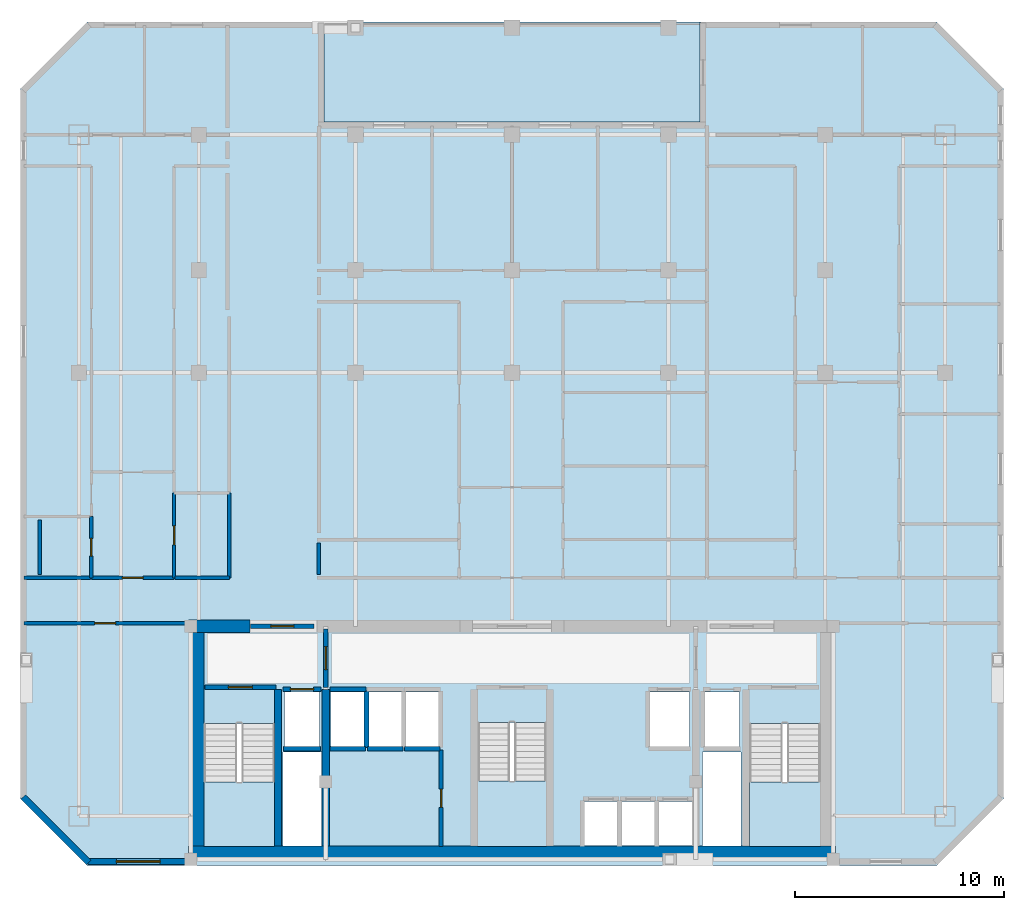
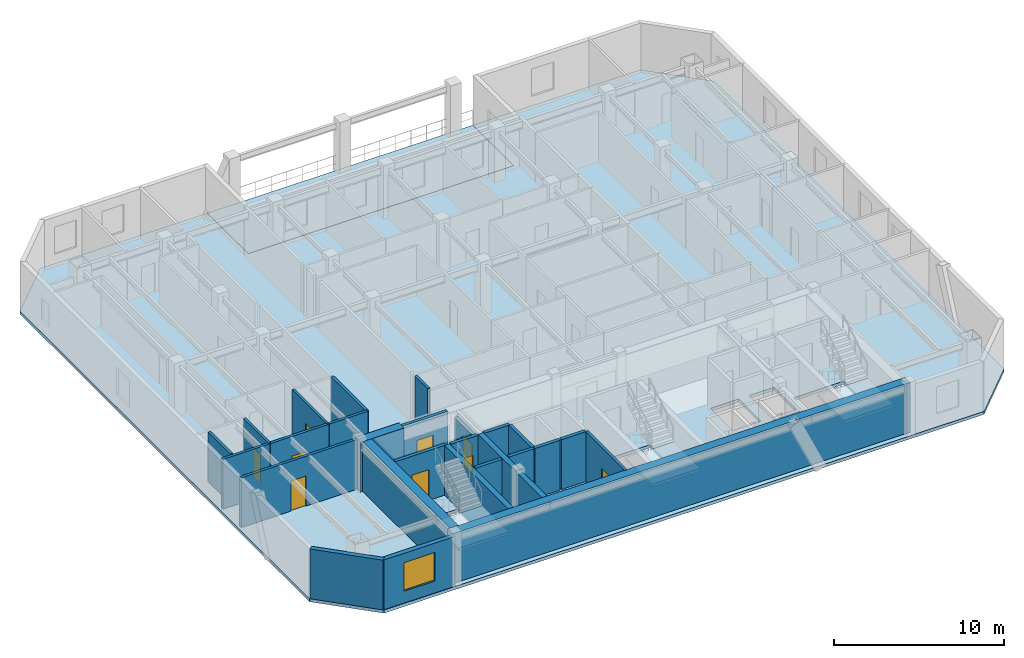
# One storey, part 2 of 8: 27 walls, 9 doors, 5 slabs, 1 window, 10 openings, 3 elements without a shape of their own.
"""IFC4 building model written with IfcOpenShell, lengths in metres."""

from ifc_helpers import new_model, si_unit, direction, frame, frame_2d, origin, place, context, subcontext, project, spatial, polyline, rectangle, outline, extrude, material, layer, layer_set, type_object, element, fill, aggregate, save


model = new_model("IFC4")

# Units and contexts
model_context = context("Model", 3, precision=1e-05, world=origin(), true_north=direction((0.0, 1.0)))
body_context = subcontext(model_context, "Body", "Model", "MODEL_VIEW")
ifc_project = project(units=[si_unit("LENGTHUNIT", "METRE"), si_unit("AREAUNIT", "SQUARE_METRE"), si_unit("VOLUMEUNIT", "CUBIC_METRE"), si_unit("PLANEANGLEUNIT", "RADIAN"), si_unit("MASSUNIT", "GRAM", prefix="KILO")], contexts=[model_context])

# Site, building, storey
site_placement = place(None, origin())
site = spatial("IfcSite", under=ifc_project, at=site_placement, CompositionType="ELEMENT")
building_placement = place(site_placement, origin())
building = spatial("IfcBuilding", under=site, at=building_placement, Name="Ventersveld Concourse Tower", CompositionType="ELEMENT")
storey_placement = place(building_placement, frame((0.0, 0.0, 200.300048828125)))
storey = spatial("IfcBuildingStorey", under=building, at=storey_placement, Name="L49", CompositionType="ELEMENT", Elevation=200.300048828125)

# Slabs
ifc_material_1 = material(Name="Concrete C50/60", Category="concrete")
ifc_layer_1 = layer(ifc_material_1, 0.219970703125)
ifc_layer_set_1 = layer_set([ifc_layer_1], Name="Concrete C50/60")
slab_type_1 = type_object("IfcSlabType", Name="SL-FLR-220", PredefinedType="FLOOR", material=ifc_layer_set_1)
slab_1_placement = place(storey_placement, frame((0.0, 0.0, -0.219970703125)))
element("IfcSlab", 1, at=slab_1_placement, inside=storey, type_object=slab_type_1, Name="L49 Composite Floor Slab", PredefinedType="FLOOR", context=body_context, shape_type="SweptSolid", body=[
    extrude(outline(polyline([(8.39990234375, 0.0), (49.10009765625, 0.0), (52.300048828125, 3.199951171875), (52.300048828125, 37.199951171875), (49.10009765625, 40.39990234375), (37.75, 40.39990234375), (37.75, 35.60009765625), (19.75, 35.60009765625), (19.75, 40.39990234375), (8.39990234375, 40.39990234375), (5.199951171875, 37.199951171875), (5.199951171875, 3.199951171875), (8.39990234375, 0.0)]), holes=[polyline([(13.97998046875, 6.794921875), (13.97998046875, 0.89990234375), (17.3798828125, 0.89990234375), (17.3798828125, 6.794921875), (13.97998046875, 6.794921875)]), polyline([(40.1201171875, 6.794921875), (40.1201171875, 0.89990234375), (43.52001953125, 0.89990234375), (43.52001953125, 6.794921875), (40.1201171875, 6.794921875)]), polyline([(27.10009765625, 6.844970703125), (27.10009765625, 0.89990234375), (30.39990234375, 0.89990234375), (30.39990234375, 6.844970703125), (27.10009765625, 6.844970703125)]), polyline([(17.85009765625, 5.699951171875), (19.530029296875, 5.699951171875), (19.530029296875, 8.300048828125), (17.85009765625, 8.300048828125), (17.85009765625, 5.699951171875)]), polyline([(37.969970703125, 5.699951171875), (39.64990234375, 5.699951171875), (39.64990234375, 8.300048828125), (37.969970703125, 8.300048828125), (37.969970703125, 5.699951171875)]), polyline([(35.35009765625, 5.699951171875), (37.25, 5.699951171875), (37.25, 8.300048828125), (35.35009765625, 8.300048828125), (35.35009765625, 5.699951171875)]), polyline([(32.2099609375, 0.949951171875), (33.81005859375, 0.949951171875), (33.81005859375, 3.050048828125), (32.2099609375, 3.050048828125), (32.2099609375, 0.949951171875)]), polyline([(33.989990234375, 0.949951171875), (35.590087890625, 0.949951171875), (35.590087890625, 3.050048828125), (33.989990234375, 3.050048828125), (33.989990234375, 0.949951171875)]), polyline([(35.77001953125, 0.949951171875), (37.3701171875, 0.949951171875), (37.3701171875, 3.050048828125), (35.77001953125, 3.050048828125), (35.77001953125, 0.949951171875)]), polyline([(20.090087890625, 5.699951171875), (21.68994140625, 5.699951171875), (21.68994140625, 8.300048828125), (20.090087890625, 8.300048828125), (20.090087890625, 5.699951171875)]), polyline([(21.8701171875, 5.699951171875), (23.469970703125, 5.699951171875), (23.469970703125, 8.300048828125), (21.8701171875, 8.300048828125), (21.8701171875, 5.699951171875)]), polyline([(23.64990234375, 5.699951171875), (25.25, 5.699951171875), (25.25, 8.300048828125), (23.64990234375, 8.300048828125), (23.64990234375, 5.699951171875)]), polyline([(17.780029296875, 0.919921875), (19.6201171875, 0.919921875), (19.6201171875, 5.419921875), (17.780029296875, 5.419921875), (17.780029296875, 0.919921875)]), polyline([(37.8798828125, 0.919921875), (39.719970703125, 0.919921875), (39.719970703125, 5.419921875), (37.8798828125, 5.419921875), (37.8798828125, 0.919921875)])]), origin(), (0.0, 0.0, 1.0), 0.219970703125),
])
slab_2_placement = place(storey_placement, frame((0.0, 0.0, -0.219970703125)))
element("IfcSlab", 2, at=slab_2_placement, inside=storey, type_object=slab_type_1, Name="L49 Outdoor Terrace Slab NOTCH-N", PredefinedType="FLOOR", context=body_context, shape_type="SweptSolid", body=[
    extrude(outline(polyline([(19.75, 35.60009765625), (37.75, 35.60009765625), (37.75, 40.39990234375), (19.75, 40.39990234375), (19.75, 35.60009765625)])), origin(), (0.0, 0.0, 1.0), 0.219970703125),
])

# Stair, slab
stair_type_1 = type_object("IfcStairType", Name="ST-DOG-160", PredefinedType="HALF_TURN_STAIR", material=ifc_material_1)
stair_1_placement = place(storey_placement, origin())
stair_1 = element("IfcStair", 3, at=stair_1_placement, inside=storey, type_object=stair_type_1, Name="L49 Protected Tower Escape Stair ST-01", PredefinedType="HALF_TURN_STAIR")
ifc_layer_2 = layer(ifc_material_1, 0.199951171875)
ifc_layer_set_2 = layer_set([ifc_layer_2], Name="Concrete C50/60")
slab_type_2 = type_object("IfcSlabType", Name="SL-LND-200", PredefinedType="LANDING", material=ifc_layer_set_2)
slab_3_placement = place(storey_placement, frame((0.0, 0.0, 1.724853515625)))
slab_3 = element("IfcSlab", 4, at=slab_3_placement, type_object=slab_type_2, Name="ST-01 landing 1", PredefinedType="LANDING", context=body_context, shape_type="SweptSolid", body=[
    extrude(outline(polyline([(13.97998046875, 4.0), (13.97998046875, 0.89990234375), (17.3798828125, 0.89990234375), (17.3798828125, 4.0), (13.97998046875, 4.0)])), origin(), (0.0, 0.0, 1.0), 0.2001953125),
])
aggregate(stair_1, [slab_3])

stair_2_placement = place(storey_placement, origin())
stair_2 = element("IfcStair", 5, at=stair_2_placement, inside=storey, type_object=stair_type_1, Name="L49 Protected Tower Escape Stair ST-02", PredefinedType="HALF_TURN_STAIR")
slab_4_placement = place(storey_placement, frame((0.0, 0.0, 1.724853515625)))
slab_4 = element("IfcSlab", 6, at=slab_4_placement, type_object=slab_type_2, Name="ST-02 landing 1", PredefinedType="LANDING", context=body_context, shape_type="SweptSolid", body=[
    extrude(outline(polyline([(40.1201171875, 4.0), (40.1201171875, 0.89990234375), (43.52001953125, 0.89990234375), (43.52001953125, 4.0), (40.1201171875, 4.0)])), origin(), (0.0, 0.0, 1.0), 0.2001953125),
])
aggregate(stair_2, [slab_4])

stair_type_2 = type_object("IfcStairType", Name="ST-DOG-155", PredefinedType="HALF_TURN_STAIR", material=ifc_material_1)
stair_3_placement = place(storey_placement, origin())
stair_3 = element("IfcStair", 7, at=stair_3_placement, inside=storey, type_object=stair_type_2, Name="L49 Protected Central Core Escape Stair ST-03", PredefinedType="HALF_TURN_STAIR")
slab_5_placement = place(storey_placement, frame((0.0, 0.0, 1.724853515625)))
slab_5 = element("IfcSlab", 8, at=slab_5_placement, type_object=slab_type_2, Name="ST-03 landing 1", PredefinedType="LANDING", context=body_context, shape_type="SweptSolid", body=[
    extrude(outline(polyline([(27.10009765625, 4.050048828125), (27.10009765625, 0.89990234375), (30.39990234375, 0.89990234375), (30.39990234375, 4.050048828125), (27.10009765625, 4.050048828125)])), origin(), (0.0, 0.0, 1.0), 0.2001953125),
])
aggregate(stair_3, [slab_5])

# Walls
ifc_layer_3 = layer(ifc_material_1, 0.35009765625)
ifc_layer_set_3 = layer_set([ifc_layer_3], Name="Concrete C50/60")
wall_type_1 = type_object("IfcWallType", Name="WL-CORE-350U", PredefinedType="SHEAR", material=ifc_layer_set_3)
for number, where, z_axis, x_axis, name in (
    (9, (17.5400390625, 0.919921875, 0.0), (0.0, 0.0, 1.0), (0.0, 1.0, 0.0), "L49 Core Internal Shear Web W-ST1-E"),
    (10, (19.820068359375, 0.919921875, 0.0), (0.0, 0.0, 1.0), (0.0, 1.0, 0.0), "L49 Core Internal Shear Web W-FF1-E"),
):
    element("IfcWall", number, at=place(storey_placement, frame(where, z_axis=z_axis, x_axis=x_axis)), inside=storey, type_object=wall_type_1, Name=name, PredefinedType="SHEAR", context=body_context, shape_type="SweptSolid", body=[
        extrude(rectangle(XDim=7.5, YDim=0.35009765625, at=frame_2d((3.75, 0.0))), origin(), (0.0, 0.0, 1.0), 3.570068359375),
    ])
ifc_layer_4 = layer(ifc_material_1, 0.60009765625)
ifc_layer_set_4 = layer_set([ifc_layer_4], Name="Concrete C50/60")
wall_type_2 = type_object("IfcWallType", Name="WL-CORE-600", PredefinedType="SHEAR", material=ifc_layer_set_4)
wall_1_placement = place(storey_placement, frame((13.25, 0.6201171875, 0.0), z_axis=(0.0, 0.0, 1.0), x_axis=(1.0, 0.0, 0.0)))
element("IfcWall", 11, at=wall_1_placement, inside=storey, type_object=wall_type_2, Name="L49 Rear Core South Shear Wall", PredefinedType="SHEAR", context=body_context, shape_type="SweptSolid", body=[
    extrude(rectangle(XDim=31.0, YDim=0.60009765625, at=frame_2d((15.5, 0.0))), origin(), (0.0, 0.0, 1.0), 3.570068359375),
])
wall_2_placement = place(storey_placement, frame((13.699951171875, 0.919921875, 0.0), z_axis=(0.0, 0.0, 1.0), x_axis=(0.0, 1.0, 0.0)))
element("IfcWall", 12, at=wall_2_placement, inside=storey, type_object=wall_type_2, Name="L49 Rear Core West Shear Wall", PredefinedType="SHEAR", context=body_context, shape_type="SweptSolid", body=[
    extrude(rectangle(XDim=10.530029296875, YDim=0.60009765625, at=frame_2d((5.26513671875, 0.0))), origin(), (0.0, 0.0, 1.0), 3.570068359375),
])
wall_3_placement = place(storey_placement, frame((13.25, 11.449951171875, 0.0), z_axis=(0.0, 0.0, 1.0), x_axis=(1.0, 0.0, 0.0)))
element("IfcWall", 13, at=wall_3_placement, inside=storey, type_object=wall_type_2, Name="L49 Rear Core North Shear Wall NW", PredefinedType="SHEAR", context=body_context, shape_type="SweptSolid", body=[
    extrude(rectangle(XDim=2.949951171875, YDim=0.60009765625, at=frame_2d((1.47509765625, 0.0))), origin(), (0.0, 0.0, 1.0), 3.570068359375),
])

# Wall, opening, door
ifc_material_2 = material(Name="Fire-rated autoclaved aerated masonry blockwork", Category="masonry")
ifc_layer_5 = layer(ifc_material_2, 0.179931640625)
ifc_layer_set_5 = layer_set([ifc_layer_5], Name="Fire-rated autoclaved aerated masonry blockwork")
wall_type_3 = type_object("IfcWallType", Name="WL-CORR-180", PredefinedType="PARTITIONING", material=ifc_layer_set_5)
wall_4_placement = place(storey_placement, frame((25.35009765625, 0.89990234375, 0.0), z_axis=(0.0, 0.0, 1.0), x_axis=(0.0, 1.0, 0.0)))
wall_4 = element("IfcWall", 14, at=wall_4_placement, inside=storey, type_object=wall_type_3, Name="L49 Core Passage Wall SP-L49-RECB1A", PredefinedType="PARTITIONING", context=body_context, shape_type="SweptSolid", body=[
    extrude(rectangle(XDim=4.6201171875, YDim=0.179931640625, at=frame_2d((2.31005859375, 0.0))), origin(), (0.0, 0.0, 1.0), 3.570068359375),
])
opening_1_placement = place(wall_4_placement, frame((1.8701171875, 0.0, 0.0)))
opening_1 = element("IfcOpeningElement", 15, at=opening_1_placement, cuts=wall_4, Name="Opening FD5", PredefinedType="OPENING", context=body_context, shape_type="SweptSolid", body=[
    extrude(rectangle(XDim=0.8798828125, YDim=2.050048828125, at=frame_2d((0.43994140625, 1.02490234375))), frame((0.0, 0.10009765625, 0.0), z_axis=(0.0, -1.0, 0.0), x_axis=(1.0, 0.0, 0.0)), (0.0, 0.0, 1.0), 0.199951171875),
])
ifc_material_3 = material(Name="Galvanised painted steel", Category="steel")
door_type_1 = type_object("IfcDoorType", Name="DR-RISER-088", OperationType="NOTDEFINED", PredefinedType="DOOR", material=ifc_material_3)
door_1_placement = place(opening_1_placement, origin())
door_1 = element("IfcDoor", 16, at=door_1_placement, inside=storey, type_object=door_type_1, Name="L49 Core Room Door L49 Reclaimed Core Meeting Pod (CD-L49-2389)", OperationType="SINGLE_SWING_RIGHT", OverallHeight=2.050048828125, OverallWidth=0.8798828125, PredefinedType="DOOR", context=body_context, shape_type="SweptSolid", body=[
    extrude(rectangle(XDim=0.8798828125, YDim=2.050048828125, at=frame_2d((0.43994140625, 1.02490234375))), frame((0.0, 0.02490234375, 0.0), z_axis=(0.0, -1.0, 0.0), x_axis=(1.0, 0.0, 0.0)), (0.0, 0.0, 1.0), 0.050048828125),
])
fill(opening_1, door_1)

wall_5_placement = place(storey_placement, frame((5.37255859375, 11.60009765625, 0.0), z_axis=(0.0, 0.0, 1.0), x_axis=(1.0, 0.0, 0.0)))
wall_5 = element("IfcWall", 17, at=wall_5_placement, inside=storey, type_object=wall_type_3, Name="L49 Interior Partition SP-L49-SW-GAL-SP-L49-COR", PredefinedType="PARTITIONING", context=body_context, shape_type="SweptSolid", body=[
    extrude(rectangle(XDim=7.7724609375, YDim=0.179931640625, at=frame_2d((3.88623046875, 0.0))), origin(), (0.0, 0.0, 1.0), 3.570068359375),
])
opening_2_placement = place(wall_5_placement, frame((3.38623046875, 0.0, 0.0)))
opening_2 = element("IfcOpeningElement", 18, at=opening_2_placement, cuts=wall_5, Name="Opening FD3", PredefinedType="OPENING", context=body_context, shape_type="SweptSolid", body=[
    extrude(rectangle(XDim=1.0, YDim=2.14990234375, at=frame_2d((0.5, 1.074951171875))), frame((0.0, 0.10009765625, 0.0), z_axis=(0.0, -1.0, 0.0), x_axis=(1.0, 0.0, 0.0)), (0.0, 0.0, 1.0), 0.199951171875),
])
ifc_material_4 = material(Name="Solid-core hardwood veneer timber", Category="wood")
door_type_2 = type_object("IfcDoorType", Name="DR-FLAT-100", OperationType="NOTDEFINED", PredefinedType="DOOR", material=ifc_material_4)
door_2_placement = place(opening_2_placement, origin())
door_2 = element("IfcDoor", 19, at=door_2_placement, inside=storey, type_object=door_type_2, Name="L49 Interior Door SP-L49-SW-GAL to SP-L49-COR (D-L49-2390)", OperationType="SINGLE_SWING_RIGHT", OverallHeight=2.14990234375, OverallWidth=1.0, PredefinedType="DOOR", context=body_context, shape_type="SweptSolid", body=[
    extrude(rectangle(XDim=1.0, YDim=2.14990234375, at=frame_2d((0.5, 1.074951171875))), frame((0.0, 0.02490234375, 0.0), z_axis=(0.0, -1.0, 0.0), x_axis=(1.0, 0.0, 0.0)), (0.0, 0.0, 1.0), 0.050048828125),
])
fill(opening_2, door_2)

wall_6_placement = place(storey_placement, frame((8.59765625, 13.77001953125, 0.0), z_axis=(0.0, 0.0, 1.0), x_axis=(1.0, 0.0, 0.0)))
wall_6 = element("IfcWall", 20, at=wall_6_placement, inside=storey, type_object=wall_type_3, Name="L49 Interior Partition SP-L49-COR-SP-L49-49NW-FOY", PredefinedType="PARTITIONING", context=body_context, shape_type="SweptSolid", body=[
    extrude(rectangle(XDim=3.969970703125, YDim=0.179931640625, at=frame_2d((1.98486328125, 0.0))), origin(), (0.0, 0.0, 1.0), 3.570068359375),
])
opening_3_placement = place(wall_6_placement, frame((1.485107421875, 0.0, 0.0)))
opening_3 = element("IfcOpeningElement", 21, at=opening_3_placement, cuts=wall_6, Name="Opening FD3", PredefinedType="OPENING", context=body_context, shape_type="SweptSolid", body=[
    extrude(rectangle(XDim=1.0, YDim=2.14990234375, at=frame_2d((0.5, 1.074951171875))), frame((0.0, 0.10009765625, 0.0), z_axis=(0.0, -1.0, 0.0), x_axis=(1.0, 0.0, 0.0)), (0.0, 0.0, 1.0), 0.199951171875),
])
door_3_placement = place(opening_3_placement, origin())
door_3 = element("IfcDoor", 22, at=door_3_placement, inside=storey, type_object=door_type_2, Name="L49 Interior Door SP-L49-COR to SP-L49-49NW-FOY (FD-L49-2392)", OperationType="SINGLE_SWING_RIGHT", OverallHeight=2.14990234375, OverallWidth=1.0, PredefinedType="DOOR", context=body_context, shape_type="SweptSolid", body=[
    extrude(rectangle(XDim=1.0, YDim=2.14990234375, at=frame_2d((0.5, 1.074951171875))), frame((0.0, 0.02490234375, 0.0), z_axis=(0.0, -1.0, 0.0), x_axis=(1.0, 0.0, 0.0)), (0.0, 0.0, 1.0), 0.050048828125),
])
fill(opening_3, door_3)

# Walls
wall_7_placement = place(storey_placement, frame((5.37255859375, 13.77001953125, 0.0), z_axis=(0.0, 0.0, 1.0), x_axis=(1.0, 0.0, 0.0)))
element("IfcWall", 23, at=wall_7_placement, inside=storey, type_object=wall_type_3, Name="L49 Interior Partition SP-L49-COR-SP-L49-49NW-BATH", PredefinedType="PARTITIONING", context=body_context, shape_type="SweptSolid", body=[
    extrude(rectangle(XDim=3.195068359375, YDim=0.179931640625, at=frame_2d((1.59765625, 0.0))), origin(), (0.0, 0.0, 1.0), 3.570068359375),
])
wall_8_placement = place(storey_placement, frame((15.2099609375, 13.764892578125, 0.0), z_axis=(0.0, 0.0, 1.0), x_axis=(0.0, 1.0, 0.0)))
element("IfcWall", 24, at=wall_8_placement, inside=storey, type_object=wall_type_3, Name="L49 Interior Partition SP-L49-COR-SP-L49-49NW-KIT", PredefinedType="PARTITIONING", context=body_context, shape_type="SweptSolid", body=[
    extrude(rectangle(XDim=4.080810546875, YDim=0.179931640625, at=frame_2d((2.04052734375, 0.0))), origin(), (0.0, 0.0, 1.0), 3.570068359375),
])
wall_9_placement = place(storey_placement, frame((12.59765625, 13.77001953125, 0.0), z_axis=(0.0, 0.0, 1.0), x_axis=(1.0, 0.0, 0.0)))
element("IfcWall", 25, at=wall_9_placement, inside=storey, type_object=wall_type_3, Name="L49 Interior Partition SP-L49-COR-SP-L49-49NW-KIT", PredefinedType="PARTITIONING", context=body_context, shape_type="SweptSolid", body=[
    extrude(rectangle(XDim=2.617431640625, YDim=0.179931640625, at=frame_2d((1.30859375, 0.0))), origin(), (0.0, 0.0, 1.0), 3.570068359375),
])
ifc_layer_6 = layer(ifc_material_2, 0.219970703125)
ifc_layer_set_6 = layer_set([ifc_layer_6], Name="Fire-rated autoclaved aerated masonry blockwork")
wall_type_4 = type_object("IfcWallType", Name="WL-HOIST-220", PredefinedType="SOLIDWALL", material=ifc_layer_set_6)
wall_10_placement = place(storey_placement, frame((17.800048828125, 5.590087890625, 0.0), z_axis=(0.0, 0.0, 1.0), x_axis=(1.0, 0.0, 0.0)))
element("IfcWall", 26, at=wall_10_placement, inside=storey, type_object=wall_type_4, Name="L49 Lift Hoistway Back Wall FFL-01", PredefinedType="SOLIDWALL", context=body_context, shape_type="SweptSolid", body=[
    extrude(rectangle(XDim=1.780029296875, YDim=0.219970703125, at=frame_2d((0.89013671875, 0.0))), origin(), (0.0, 0.0, 1.0), 3.570068359375),
])

# Wall, opening, door
wall_11_placement = place(storey_placement, frame((17.780029296875, 8.429931640625, 0.0), z_axis=(0.0, 0.0, 1.0), x_axis=(1.0, 0.0, 0.0)))
wall_11 = element("IfcWall", 27, at=wall_11_placement, inside=storey, type_object=wall_type_4, Name="L49 Lift Hoistway Front Wall FFL-01", PredefinedType="SOLIDWALL", context=body_context, shape_type="SweptSolid", body=[
    extrude(rectangle(XDim=1.820068359375, YDim=0.219970703125, at=frame_2d((0.91015625, 0.0))), origin(), (0.0, 0.0, 1.0), 3.570068359375),
])
opening_4_placement = place(wall_11_placement, frame((0.35009765625, 0.0, 0.0)))
opening_4 = element("IfcOpeningElement", 28, at=opening_4_placement, cuts=wall_11, Name="Opening LD1", PredefinedType="OPENING", context=body_context, shape_type="SweptSolid", body=[
    extrude(rectangle(XDim=1.1201171875, YDim=2.25, at=frame_2d((0.56005859375, 1.125))), frame((0.0, 0.1201171875, 0.0), z_axis=(0.0, -1.0, 0.0), x_axis=(1.0, 0.0, 0.0)), (0.0, 0.0, 1.0), 0.239990234375),
])
ifc_material_5 = material(Name="Brushed stainless steel 316", Category="steel")
door_type_3 = type_object("IfcDoorType", Name="LD-FF-112", OperationType="SLIDING_TO_LEFT", PredefinedType="DOOR", material=ifc_material_5)
door_4_placement = place(opening_4_placement, origin())
door_4 = element("IfcDoor", 29, at=door_4_placement, inside=storey, type_object=door_type_3, Name="L49 Lift landing door FFL-01 (LD-L49-FFL-01)", OperationType="SLIDING_TO_LEFT", OverallHeight=2.25, OverallWidth=1.1201171875, PredefinedType="DOOR", context=body_context, shape_type="SweptSolid", body=[
    extrude(rectangle(XDim=1.1201171875, YDim=2.25, at=frame_2d((0.56005859375, 1.125))), frame((0.0, 0.02490234375, 0.0), z_axis=(0.0, -1.0, 0.0), x_axis=(1.0, 0.0, 0.0)), (0.0, 0.0, 1.0), 0.050048828125),
])
fill(opening_4, door_4)

# Walls
wall_12_placement = place(storey_placement, frame((20.0400390625, 5.590087890625, 0.0), z_axis=(0.0, 0.0, 1.0), x_axis=(1.0, 0.0, 0.0)))
element("IfcWall", 30, at=wall_12_placement, inside=storey, type_object=wall_type_4, Name="L49 Lift Hoistway Back Wall PH-01", PredefinedType="SOLIDWALL", context=body_context, shape_type="SweptSolid", body=[
    extrude(rectangle(XDim=1.699951171875, YDim=0.219970703125, at=frame_2d((0.85009765625, 0.0))), origin(), (0.0, 0.0, 1.0), 3.570068359375),
])
wall_13_placement = place(storey_placement, frame((21.780029296875, 5.64990234375, 0.0), z_axis=(0.0, 0.0, 1.0), x_axis=(0.0, 1.0, 0.0)))
element("IfcWall", 31, at=wall_13_placement, inside=storey, type_object=wall_type_4, Name="L49 Lift Hoistway Side Wall PH-01E", PredefinedType="SOLIDWALL", context=body_context, shape_type="SweptSolid", body=[
    extrude(rectangle(XDim=2.7001953125, YDim=0.219970703125, at=frame_2d((1.35009765625, 0.0))), origin(), (0.0, 0.0, 1.0), 3.570068359375),
])
wall_14_placement = place(storey_placement, frame((20.02001953125, 8.429931640625, 0.0), z_axis=(0.0, 0.0, 1.0), x_axis=(1.0, 0.0, 0.0)))
element("IfcWall", 32, at=wall_14_placement, inside=storey, type_object=wall_type_4, Name="L49 Lift Hoistway Front Wall PH-01", PredefinedType="SOLIDWALL", context=body_context, shape_type="SweptSolid", body=[
    extrude(rectangle(XDim=1.739990234375, YDim=0.219970703125, at=frame_2d((0.8701171875, 0.0))), origin(), (0.0, 0.0, 1.0), 3.570068359375),
])
for number, where, z_axis, x_axis, name in (
    (33, (21.820068359375, 5.590087890625, 0.0), (0.0, 0.0, 1.0), (1.0, 0.0, 0.0), "L49 Lift Hoistway Back Wall PH-02"),
    (34, (23.60009765625, 5.590087890625, 0.0), (0.0, 0.0, 1.0), (1.0, 0.0, 0.0), "L49 Lift Hoistway Back Wall PH-03"),
):
    element("IfcWall", number, at=place(storey_placement, frame(where, z_axis=z_axis, x_axis=x_axis)), inside=storey, type_object=wall_type_4, Name=name, PredefinedType="SOLIDWALL", context=body_context, shape_type="SweptSolid", body=[
        extrude(rectangle(XDim=1.699951171875, YDim=0.219970703125, at=frame_2d((0.85009765625, 0.0))), origin(), (0.0, 0.0, 1.0), 3.570068359375),
    ])

# Wall, opening, door
wall_15_placement = place(storey_placement, frame((14.0400390625, 8.52001953125, 0.0), z_axis=(0.0, 0.0, 1.0), x_axis=(1.0, 0.0, 0.0)))
wall_15 = element("IfcWall", 35, at=wall_15_placement, inside=storey, type_object=wall_type_4, Name="L49 Escape Stair ST01 Fire Wall", PredefinedType="SOLIDWALL", context=body_context, shape_type="SweptSolid", body=[
    extrude(rectangle(XDim=3.39990234375, YDim=0.219970703125, at=frame_2d((1.699951171875, 0.0))), origin(), (0.0, 0.0, 1.0), 3.570068359375),
])
opening_5_placement = place(wall_15_placement, frame((1.125, 0.0, 0.0)))
opening_5 = element("IfcOpeningElement", 36, at=opening_5_placement, cuts=wall_15, Name="Opening FD1", PredefinedType="OPENING", context=body_context, shape_type="SweptSolid", body=[
    extrude(rectangle(XDim=1.14990234375, YDim=2.199951171875, at=frame_2d((0.574951171875, 1.10009765625))), frame((0.0, 0.1201171875, 0.0), z_axis=(0.0, -1.0, 0.0), x_axis=(1.0, 0.0, 0.0)), (0.0, 0.0, 1.0), 0.239990234375),
])
door_type_4 = type_object("IfcDoorType", Name="DR-STAIR-115", OperationType="NOTDEFINED", PredefinedType="DOOR", material=ifc_material_3)
door_5_placement = place(opening_5_placement, origin())
door_5 = element("IfcDoor", 37, at=door_5_placement, inside=storey, type_object=door_type_4, Name="L49 Escape Stair Door ST01 (SD-L49-2381)", OperationType="SINGLE_SWING_LEFT", OverallHeight=2.199951171875, OverallWidth=1.14990234375, PredefinedType="DOOR", context=body_context, shape_type="SweptSolid", body=[
    extrude(rectangle(XDim=1.14990234375, YDim=2.199951171875, at=frame_2d((0.574951171875, 1.10009765625))), frame((0.0, 0.02490234375, 0.0), z_axis=(0.0, -1.0, 0.0), x_axis=(1.0, 0.0, 0.0)), (0.0, 0.0, 1.0), 0.050048828125),
])
fill(opening_5, door_5)

wall_16_placement = place(storey_placement, frame((19.820068359375, 8.52001953125, 0.0), z_axis=(0.0, 0.0, 1.0), x_axis=(0.0, 1.0, 0.0)))
wall_16 = element("IfcWall", 38, at=wall_16_placement, inside=storey, type_object=wall_type_4, Name="L49 Firefighting Lobby Smoke-Stop Wall FFLW-SEP", PredefinedType="SOLIDWALL", context=body_context, shape_type="SweptSolid", body=[
    extrude(rectangle(XDim=2.800048828125, YDim=0.219970703125, at=frame_2d((1.39990234375, 0.0))), origin(), (0.0, 0.0, 1.0), 3.025390625),
])
opening_6_placement = place(wall_16_placement, frame((0.85009765625, 0.0, 0.0)))
opening_6 = element("IfcOpeningElement", 39, at=opening_6_placement, cuts=wall_16, Name="Opening FD2", PredefinedType="OPENING", context=body_context, shape_type="SweptSolid", body=[
    extrude(rectangle(XDim=1.10009765625, YDim=2.199951171875, at=frame_2d((0.550048828125, 1.10009765625))), frame((0.0, 0.1201171875, 0.0), z_axis=(0.0, -1.0, 0.0), x_axis=(1.0, 0.0, 0.0)), (0.0, 0.0, 1.0), 0.239990234375),
])
door_type_5 = type_object("IfcDoorType", Name="DR-FFL-110", OperationType="NOTDEFINED", PredefinedType="DOOR", material=ifc_material_3)
door_6_placement = place(opening_6_placement, origin())
door_6 = element("IfcDoor", 40, at=door_6_placement, inside=storey, type_object=door_type_5, Name="L49 Firefighting Lobby Door FFLW-SEP (FD-L49-2384)", OperationType="SINGLE_SWING_LEFT", OverallHeight=2.199951171875, OverallWidth=1.10009765625, PredefinedType="DOOR", context=body_context, shape_type="SweptSolid", body=[
    extrude(rectangle(XDim=1.10009765625, YDim=2.199951171875, at=frame_2d((0.550048828125, 1.10009765625))), frame((0.0, 0.02490234375, 0.0), z_axis=(0.0, -1.0, 0.0), x_axis=(1.0, 0.0, 0.0)), (0.0, 0.0, 1.0), 0.050048828125),
])
fill(opening_6, door_6)

wall_17_placement = place(storey_placement, frame((16.22998046875, 11.449951171875, 0.0), z_axis=(0.0, 0.0, 1.0), x_axis=(1.0, 0.0, 0.0)))
wall_17 = element("IfcWall", 41, at=wall_17_placement, inside=storey, type_object=wall_type_4, Name="L49 Core North Fire Portal FFLW-OUT", PredefinedType="SOLIDWALL", context=body_context, shape_type="SweptSolid", body=[
    extrude(rectangle(XDim=3.0400390625, YDim=0.219970703125, at=frame_2d((1.52001953125, 0.0))), origin(), (0.0, 0.0, 1.0), 3.570068359375),
])
opening_7_placement = place(wall_17_placement, frame((0.969970703125, 0.0, 0.0)))
opening_7 = element("IfcOpeningElement", 42, at=opening_7_placement, cuts=wall_17, Name="Opening FD2", PredefinedType="OPENING", context=body_context, shape_type="SweptSolid", body=[
    extrude(rectangle(XDim=1.10009765625, YDim=2.199951171875, at=frame_2d((0.550048828125, 1.10009765625))), frame((0.0, 0.1201171875, 0.0), z_axis=(0.0, -1.0, 0.0), x_axis=(1.0, 0.0, 0.0)), (0.0, 0.0, 1.0), 0.239990234375),
])
door_7_placement = place(opening_7_placement, origin())
door_7 = element("IfcDoor", 43, at=door_7_placement, inside=storey, type_object=door_type_5, Name="L49 Core Lobby Fire Door FFLW-OUT (FD-L49-2386)", OperationType="SINGLE_SWING_RIGHT", OverallHeight=2.199951171875, OverallWidth=1.10009765625, PredefinedType="DOOR", context=body_context, shape_type="SweptSolid", body=[
    extrude(rectangle(XDim=1.10009765625, YDim=2.199951171875, at=frame_2d((0.550048828125, 1.10009765625))), frame((0.0, 0.02490234375, 0.0), z_axis=(0.0, -1.0, 0.0), x_axis=(1.0, 0.0, 0.0)), (0.0, 0.0, 1.0), 0.050048828125),
])
fill(opening_7, door_7)

ifc_material_6 = material(Name="Autoclaved aerated masonry blockwork", Category="masonry")
ifc_layer_7 = layer(ifc_material_6, 0.14990234375)
ifc_layer_set_7 = layer_set([ifc_layer_7], Name="Autoclaved aerated masonry blockwork")
wall_type_5 = type_object("IfcWallType", Name="WL-INT-150", PredefinedType="PARTITIONING", material=ifc_layer_set_7)
wall_18_placement = place(storey_placement, frame((12.5625, 13.764892578125, 0.0), z_axis=(0.0, 0.0, 1.0), x_axis=(0.0, 1.0, 0.0)))
wall_18 = element("IfcWall", 44, at=wall_18_placement, inside=storey, type_object=wall_type_5, Name="L49 Interior Partition SP-L49-49NW-FOY-SP-L49-49NW-KIT", PredefinedType="PARTITIONING", context=body_context, shape_type="SweptSolid", body=[
    extrude(rectangle(XDim=4.080810546875, YDim=0.14990234375, at=frame_2d((2.04052734375, 0.0))), origin(), (0.0, 0.0, 1.0), 3.570068359375),
])
opening_8_placement = place(wall_18_placement, frame((1.580322265625, 0.0, 0.0)))
opening_8 = element("IfcOpeningElement", 45, at=opening_8_placement, cuts=wall_18, Name="Opening ID1", PredefinedType="OPENING", context=body_context, shape_type="SweptSolid", body=[
    extrude(rectangle(XDim=0.919921875, YDim=2.10009765625, at=frame_2d((0.4599609375, 1.050048828125))), frame((0.0, 0.0849609375, 0.0), z_axis=(0.0, -1.0, 0.0), x_axis=(1.0, 0.0, 0.0)), (0.0, 0.0, 1.0), 0.169921875),
])
door_type_6 = type_object("IfcDoorType", Name="DR-ROOM-092", OperationType="NOTDEFINED", PredefinedType="DOOR", material=ifc_material_4)
door_8_placement = place(opening_8_placement, origin())
door_8 = element("IfcDoor", 46, at=door_8_placement, inside=storey, type_object=door_type_6, Name="L49 Interior Door SP-L49-49NW-FOY to SP-L49-49NW-KIT (D-L49-2398)", OperationType="SINGLE_SWING_RIGHT", OverallHeight=2.10009765625, OverallWidth=0.919921875, PredefinedType="DOOR", context=body_context, shape_type="SweptSolid", body=[
    extrude(rectangle(XDim=0.919921875, YDim=2.10009765625, at=frame_2d((0.4599609375, 1.050048828125))), frame((0.0, 0.02490234375, 0.0), z_axis=(0.0, -1.0, 0.0), x_axis=(1.0, 0.0, 0.0)), (0.0, 0.0, 1.0), 0.050048828125),
])
fill(opening_8, door_8)

# Wall, opening, window
ifc_material_7 = material(Name="Precast concrete C45/55", Category="concrete")
ifc_layer_8 = layer(ifc_material_7, 0.300048828125)
ifc_layer_set_8 = layer_set([ifc_layer_8], Name="Precast concrete C45/55")
wall_type_6 = type_object("IfcWallType", Name="WL-PREC-300", PredefinedType="SOLIDWALL", material=ifc_layer_set_8)
wall_19_placement = place(storey_placement, frame((8.43994140625, 0.179931640625, 0.0), z_axis=(0.0, 0.0, 1.0), x_axis=(1.0, 0.0, 0.0)))
wall_19 = element("IfcWall", 47, at=wall_19_placement, inside=storey, type_object=wall_type_6, Name="L49 South-West Flank Precast Wall", PredefinedType="SOLIDWALL", context=body_context, shape_type="SweptSolid", body=[
    extrude(rectangle(XDim=4.81005859375, YDim=0.300048828125, at=frame_2d((2.405029296875, 0.0))), origin(), (0.0, 0.0, 1.0), 3.570068359375),
])
opening_9_placement = place(wall_19_placement, frame((1.35498046875, 0.0, 0.85009765625)))
opening_9 = element("IfcOpeningElement", 48, at=opening_9_placement, cuts=wall_19, Name="Opening W7", PredefinedType="OPENING", context=body_context, shape_type="SweptSolid", body=[
    extrude(rectangle(XDim=2.10009765625, YDim=2.050048828125, at=frame_2d((1.050048828125, 1.02490234375))), frame((0.0, 0.16015625, 0.0), z_axis=(0.0, -1.0, 0.0), x_axis=(1.0, 0.0, 0.0)), (0.0, 0.0, 1.0), 0.320068359375),
])
ifc_material_8 = material(Name="Tempered acoustic Low-E IGU", Category="glass")
window_type = type_object("IfcWindowType", Name="WIN-210x205", PartitioningType="SINGLE_PANEL", PredefinedType="WINDOW", material=ifc_material_8)
window_placement = place(opening_9_placement, origin())
window = element("IfcWindow", 49, at=window_placement, inside=storey, type_object=window_type, Name="L49 Punched Low-E Window W-0686", OverallHeight=2.050048828125, OverallWidth=2.10009765625, PartitioningType="SINGLE_PANEL", PredefinedType="WINDOW", context=body_context, shape_type="SweptSolid", body=[
    extrude(rectangle(XDim=2.10009765625, YDim=2.050048828125, at=frame_2d((1.050048828125, 1.02490234375))), frame((0.0, 0.030029296875, 0.0), z_axis=(0.0, -1.0, 0.0), x_axis=(1.0, 0.0, 0.0)), (0.0, 0.0, 1.0), 0.06005859375),
])
fill(opening_9, window)

# Wall
wall_20_placement = place(storey_placement, frame((5.33447265625, 3.27783203125, 0.0), z_axis=(0.0, 0.0, 1.0), x_axis=(0.707106781187, -0.707106781187, 0.0)))
element("IfcWall", 50, at=wall_20_placement, inside=storey, type_object=wall_type_6, Name="L49 Highveld Precast Facade Wall E12", PredefinedType="SOLIDWALL", context=body_context, shape_type="SweptSolid", body=[
    extrude(rectangle(XDim=4.4453125, YDim=0.300048828125, at=frame_2d((2.22265625, 0.0))), origin(), (0.0, 0.0, 1.0), 3.570068359375),
])

# Wall, opening, door
ifc_layer_9 = layer(ifc_material_6, 0.1650390625)
ifc_layer_set_9 = layer_set([ifc_layer_9], Name="Autoclaved aerated masonry blockwork")
wall_type_7 = type_object("IfcWallType", Name="WL-WET-165", PredefinedType="PLUMBINGWALL", material=ifc_layer_set_9)
wall_21_placement = place(storey_placement, frame((8.6025390625, 13.764892578125, 0.0), z_axis=(0.0, 0.0, 1.0), x_axis=(0.0, 1.0, 0.0)))
wall_21 = element("IfcWall", 51, at=wall_21_placement, inside=storey, type_object=wall_type_7, Name="L49 Interior Partition SP-L49-49NW-FOY-SP-L49-49NW-BATH", PredefinedType="PLUMBINGWALL", context=body_context, shape_type="SweptSolid", body=[
    extrude(rectangle(XDim=2.948486328125, YDim=0.1650390625, at=frame_2d((1.47412109375, 0.0))), origin(), (0.0, 0.0, 1.0), 3.570068359375),
])
opening_10_placement = place(wall_21_placement, frame((1.04931640625, 0.0, 0.0)))
opening_10 = element("IfcOpeningElement", 52, at=opening_10_placement, cuts=wall_21, Name="Opening ID2", PredefinedType="OPENING", context=body_context, shape_type="SweptSolid", body=[
    extrude(rectangle(XDim=0.85009765625, YDim=2.10009765625, at=frame_2d((0.425048828125, 1.050048828125))), frame((0.0, 0.092529296875, 0.0), z_axis=(0.0, -1.0, 0.0), x_axis=(1.0, 0.0, 0.0)), (0.0, 0.0, 1.0), 0.18505859375),
])
door_type_7 = type_object("IfcDoorType", Name="DR-BATH-085", OperationType="NOTDEFINED", PredefinedType="DOOR", material=ifc_material_4)
door_9_placement = place(opening_10_placement, origin())
door_9 = element("IfcDoor", 53, at=door_9_placement, inside=storey, type_object=door_type_7, Name="L49 Interior Door SP-L49-49NW-FOY to SP-L49-49NW-BATH (D-L49-2396)", OperationType="SINGLE_SWING_RIGHT", OverallHeight=2.10009765625, OverallWidth=0.85009765625, PredefinedType="DOOR", context=body_context, shape_type="SweptSolid", body=[
    extrude(rectangle(XDim=0.85009765625, YDim=2.10009765625, at=frame_2d((0.425048828125, 1.050048828125))), frame((0.0, 0.02490234375, 0.0), z_axis=(0.0, -1.0, 0.0), x_axis=(1.0, 0.0, 0.0)), (0.0, 0.0, 1.0), 0.050048828125),
])
fill(opening_10, door_9)

# Walls
wall_22_placement = place(storey_placement, frame((6.1201171875, 13.93505859375, 0.0), z_axis=(0.0, 0.0, 1.0), x_axis=(0.0, 1.0, 0.0)))
element("IfcWall", 54, at=wall_22_placement, inside=storey, type_object=wall_type_7, Name="L49 Room Enclosure Wall SP-L49-49NW-BATH", PredefinedType="PLUMBINGWALL", context=body_context, shape_type="SweptSolid", body=[
    extrude(rectangle(XDim=2.6083984375, YDim=0.1650390625, at=frame_2d((1.30419921875, 0.0))), origin(), (0.0, 0.0, 1.0), 3.570068359375),
])
wall_23_placement = place(storey_placement, frame((19.5, 13.93505859375, 0.0), z_axis=(0.0, 0.0, 1.0), x_axis=(0.0, 1.0, 0.0)))
element("IfcWall", 55, at=wall_23_placement, inside=storey, type_object=wall_type_7, Name="L49 Room Enclosure Wall SP-L49-49CM-BATH", PredefinedType="PLUMBINGWALL", context=body_context, shape_type="SweptSolid", body=[
    extrude(rectangle(XDim=1.5, YDim=0.1650390625, at=frame_2d((0.75, 0.0))), origin(), (0.0, 0.0, 1.0), 3.570068359375),
])

save(model, "model.ifc")
